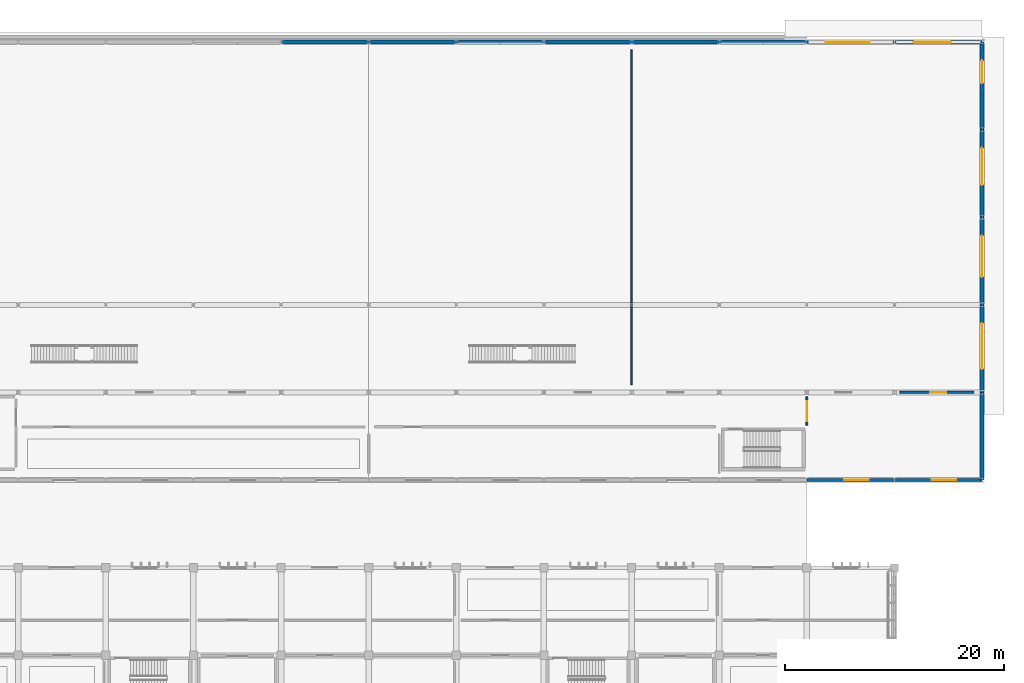
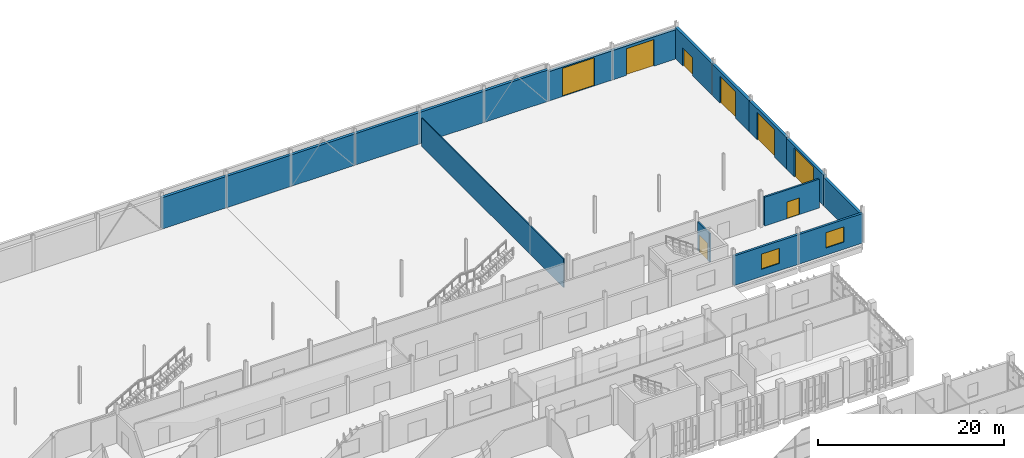
# One storey, part 98 of 117: 18 walls, 8 doors, 2 windows, 10 openings.
"""IFC4 building model written with IfcOpenShell, lengths in metres."""

from ifc_helpers import new_model, si_unit, direction, frame, frame_2d, origin, place, context, subcontext, project, spatial, rectangle, extrude, material, layer, layer_set, type_object, element, fill, save


model = new_model("IFC4")

# Units and contexts
model_context = context("Model", 3, precision=1e-05, world=origin(), true_north=direction((0.0, 1.0)))
body_context = subcontext(model_context, "Body", "Model", "MODEL_VIEW")
ifc_project = project(units=[si_unit("LENGTHUNIT", "METRE"), si_unit("AREAUNIT", "SQUARE_METRE"), si_unit("VOLUMEUNIT", "CUBIC_METRE"), si_unit("PLANEANGLEUNIT", "RADIAN"), si_unit("MASSUNIT", "GRAM", prefix="KILO")], contexts=[model_context])

# Site, building, storey
site_placement = place(None, origin())
site = spatial("IfcSite", under=ifc_project, at=site_placement, CompositionType="ELEMENT")
building_placement = place(site_placement, origin())
building = spatial("IfcBuilding", under=site, at=building_placement, Name="Jelvoka-Kovrelna Polytechnic", CompositionType="ELEMENT")
storey_placement = place(building_placement, origin())
storey = spatial("IfcBuildingStorey", under=building, at=storey_placement, Name="L01", CompositionType="ELEMENT", Elevation=0.0)

# Wall, opening, door
ifc_material_1 = material(Name="Concrete C35/45", Category="concrete")
ifc_layer_1 = layer(ifc_material_1, 0.219970703125)
ifc_layer_set_1 = layer_set([ifc_layer_1], Name="Concrete C35/45")
wall_type_1 = type_object("IfcWallType", Name="Wall_Compartment_220", PredefinedType="PARTITIONING", material=ifc_layer_set_1)
wall_1_placement = place(storey_placement, frame((192.449951171875, 88.0, 0.0), z_axis=(0.0, 0.0, 1.0), x_axis=(1.0, 0.0, 0.0)))
wall_1 = element("IfcWall", 1, at=wall_1_placement, inside=storey, type_object=wall_type_1, Name="L01 interior wall 0913", PredefinedType="PARTITIONING", context=body_context, shape_type="SweptSolid", body=[
    extrude(rectangle(XDim=6.800048828125, YDim=0.219970703125, at=frame_2d((3.39990234375, 0.0))), origin(), (0.0, 0.0, 1.0), 3.794921875),
])
opening_1_placement = place(wall_1_placement, frame((2.800048828125, 0.0, 0.0)))
opening_1 = element("IfcOpeningElement", 2, at=opening_1_placement, cuts=wall_1, Name="Opening D-L01-200", PredefinedType="OPENING", context=body_context, shape_type="SweptSolid", body=[
    extrude(rectangle(XDim=1.5, YDim=2.199951171875, at=frame_2d((0.75, 1.10009765625))), frame((0.0, 0.119873046875, 0.0), z_axis=(0.0, -1.0, 0.0), x_axis=(1.0, 0.0, 0.0)), (0.0, 0.0, 1.0), 0.239990234375),
])
ifc_material_2 = material(Name="Paired steel stair lobby fire door", Category="steel")
door_type_1 = type_object("IfcDoorType", Name="Door_Fire_FD04", OperationType="NOTDEFINED", PredefinedType="DOOR", material=ifc_material_2)
door_1_placement = place(opening_1_placement, origin())
door_1 = element("IfcDoor", 3, at=door_1_placement, inside=storey, type_object=door_type_1, Name="L01 interior door D-L01-200", OperationType="DOUBLE_DOOR_SINGLE_SWING", OverallHeight=2.199951171875, OverallWidth=1.5, PredefinedType="DOOR", context=body_context, shape_type="SweptSolid", body=[
    extrude(rectangle(XDim=1.5, YDim=2.199951171875, at=frame_2d((0.75, 1.10009765625))), frame((0.0, 0.02490234375, 0.0), z_axis=(0.0, -1.0, 0.0), x_axis=(1.0, 0.0, 0.0)), (0.0, 0.0, 1.0), 0.050048828125),
])
fill(opening_1, door_1)

ifc_material_3 = material(Name="Autoclaved aerated concrete blockwork", Category="masonry")
ifc_layer_2 = layer(ifc_material_3, 0.179931640625)
ifc_layer_set_2 = layer_set([ifc_layer_2], Name="Autoclaved aerated concrete blockwork")
wall_type_2 = type_object("IfcWallType", Name="Wall_Corridor_180", PredefinedType="PARTITIONING", material=ifc_layer_set_2)
wall_2_placement = place(storey_placement, frame((184.0, 85.0, 0.0), z_axis=(0.0, 0.0, 1.0), x_axis=(0.0, 1.0, 0.0)))
wall_2 = element("IfcWall", 4, at=wall_2_placement, inside=storey, type_object=wall_type_2, Name="L01 interior wall 0919", PredefinedType="PARTITIONING", context=body_context, shape_type="SweptSolid", body=[
    extrude(rectangle(XDim=2.60009765625, YDim=0.179931640625, at=frame_2d((1.300048828125, 0.0))), origin(), (0.0, 0.0, 1.0), 3.7451171875),
])
opening_2_placement = place(wall_2_placement, frame((0.389892578125, 0.0, 0.0)))
opening_2 = element("IfcOpeningElement", 5, at=opening_2_placement, cuts=wall_2, Name="Opening D-L01-203", PredefinedType="OPENING", context=body_context, shape_type="SweptSolid", body=[
    extrude(rectangle(XDim=1.820068359375, YDim=2.25, at=frame_2d((0.91015625, 1.125))), frame((0.0, 0.099853515625, 0.0), z_axis=(0.0, -1.0, 0.0), x_axis=(1.0, 0.0, 0.0)), (0.0, 0.0, 1.0), 0.199951171875),
])
ifc_material_4 = material(Name="Paired hardwood fire-resisting assembly door", Category="wood")
door_type_2 = type_object("IfcDoorType", Name="Door_Fire_FD30_10", OperationType="NOTDEFINED", PredefinedType="DOOR", material=ifc_material_4)
door_2_placement = place(opening_2_placement, origin())
door_2 = element("IfcDoor", 6, at=door_2_placement, inside=storey, type_object=door_type_2, Name="L01 interior door D-L01-203", OperationType="DOUBLE_DOOR_SINGLE_SWING", OverallHeight=2.25, OverallWidth=1.820068359375, PredefinedType="DOOR", context=body_context, shape_type="SweptSolid", body=[
    extrude(rectangle(XDim=1.820068359375, YDim=2.25, at=frame_2d((0.91015625, 1.125))), frame((0.0, 0.02490234375, 0.0), z_axis=(0.0, -1.0, 0.0), x_axis=(1.0, 0.0, 0.0)), (0.0, 0.0, 1.0), 0.050048828125),
])
fill(opening_2, door_2)

# Wall, opening, window
ifc_material_5 = material(Name="Precast concrete C40/50", Category="concrete")
ifc_layer_3 = layer(ifc_material_5, 0.280029296875)
ifc_layer_set_3 = layer_set([ifc_layer_3], Name="Precast concrete C40/50")
wall_type_3 = type_object("IfcWallType", Name="Wall_Ext_White_280", PredefinedType="STANDARD", material=ifc_layer_set_3)
wall_3_placement = place(storey_placement, frame((191.99609375, 80.0, 0.0), z_axis=(0.0, 0.0, 1.0), x_axis=(-1.0, 0.0, 0.0)))
wall_3 = element("IfcWall", 7, at=wall_3_placement, inside=storey, type_object=wall_type_3, Name="L01 exterior wall 0898", PredefinedType="STANDARD", context=body_context, shape_type="SweptSolid", body=[
    extrude(rectangle(XDim=7.9921875, YDim=0.280029296875, at=frame_2d((3.99609375, 0.0))), origin(), (0.0, 0.0, 1.0), 3.89501953125),
])
opening_3_placement = place(wall_3_placement, frame((2.3359375, 0.0, 0.949951171875)))
opening_3 = element("IfcOpeningElement", 8, at=opening_3_placement, cuts=wall_3, Name="Opening W-L01-513", PredefinedType="OPENING", context=body_context, shape_type="SweptSolid", body=[
    extrude(rectangle(XDim=2.25, YDim=2.0, at=frame_2d((1.125, 1.0))), frame((0.0, 0.150146484375, 0.0), z_axis=(0.0, -1.0, 0.0), x_axis=(1.0, 0.0, 0.0)), (0.0, 0.0, 1.0), 0.300048828125),
])
ifc_material_6 = material(Name="Thermally broken anodised aluminium and low-e glazing", Category="aluminium")
window_type = type_object("IfcWindowType", Name="Win_Casement_W57", PartitioningType="DOUBLE_PANEL_VERTICAL", PredefinedType="WINDOW", material=ifc_material_6)
window_1_placement = place(opening_3_placement, origin())
window_1 = element("IfcWindow", 9, at=window_1_placement, inside=storey, type_object=window_type, Name="L01 aluminium casement window W-L01-513", OverallHeight=2.0, OverallWidth=2.25, PartitioningType="DOUBLE_PANEL_VERTICAL", PredefinedType="WINDOW", context=body_context, shape_type="SweptSolid", body=[
    extrude(rectangle(XDim=2.25, YDim=2.0, at=frame_2d((1.125, 1.0))), frame((0.0, 0.030029296875, 0.0), z_axis=(0.0, -1.0, 0.0), x_axis=(1.0, 0.0, 0.0)), (0.0, 0.0, 1.0), 0.06005859375),
])
fill(opening_3, window_1)

wall_4_placement = place(storey_placement, frame((199.99609375, 80.0, 0.0), z_axis=(0.0, 0.0, 1.0), x_axis=(-1.0, 0.0, 0.0)))
wall_4 = element("IfcWall", 10, at=wall_4_placement, inside=storey, type_object=wall_type_3, Name="L01 exterior wall 0899", PredefinedType="STANDARD", context=body_context, shape_type="SweptSolid", body=[
    extrude(rectangle(XDim=7.9921875, YDim=0.280029296875, at=frame_2d((3.99609375, 0.0))), origin(), (0.0, 0.0, 1.0), 3.89501953125),
])
opening_4_placement = place(wall_4_placement, frame((2.3359375, 0.0, 0.949951171875)))
opening_4 = element("IfcOpeningElement", 11, at=opening_4_placement, cuts=wall_4, Name="Opening W-L01-514", PredefinedType="OPENING", context=body_context, shape_type="SweptSolid", body=[
    extrude(rectangle(XDim=2.25, YDim=2.0, at=frame_2d((1.125, 1.0))), frame((0.0, 0.150146484375, 0.0), z_axis=(0.0, -1.0, 0.0), x_axis=(1.0, 0.0, 0.0)), (0.0, 0.0, 1.0), 0.300048828125),
])
window_2_placement = place(opening_4_placement, origin())
window_2 = element("IfcWindow", 12, at=window_2_placement, inside=storey, type_object=window_type, Name="L01 aluminium casement window W-L01-514", OverallHeight=2.0, OverallWidth=2.25, PartitioningType="DOUBLE_PANEL_VERTICAL", PredefinedType="WINDOW", context=body_context, shape_type="SweptSolid", body=[
    extrude(rectangle(XDim=2.25, YDim=2.0, at=frame_2d((1.125, 1.0))), frame((0.0, 0.030029296875, 0.0), z_axis=(0.0, -1.0, 0.0), x_axis=(1.0, 0.0, 0.0)), (0.0, 0.0, 1.0), 0.06005859375),
])
fill(opening_4, window_2)

# Walls
ifc_material_7 = material(Name="Precast concrete C40/50", Category="concrete")
ifc_layer_4 = layer(ifc_material_7, 0.340087890625)
ifc_layer_set_4 = layer_set([ifc_layer_4], Name="Precast concrete C40/50")
wall_type_4 = type_object("IfcWallType", Name="Wall_Ext_Workshop_340", PredefinedType="STANDARD", material=ifc_layer_set_4)
for number, where, z_axis, x_axis, name in (
    (13, (136.00390625, 120.0, 0.0), (0.0, 0.0, 1.0), (1.0, 0.0, 0.0), "L01 exterior wall 0869"),
    (14, (144.00390625, 120.0, 0.0), (0.0, 0.0, 1.0), (1.0, 0.0, 0.0), "L01 exterior wall 0870"),
    (15, (152.00390625, 120.0, 0.0), (0.0, 0.0, 1.0), (1.0, 0.0, 0.0), "L01 exterior wall 0871"),
    (16, (160.00390625, 120.0, 0.0), (0.0, 0.0, 1.0), (1.0, 0.0, 0.0), "L01 exterior wall 0872"),
    (17, (168.00390625, 120.0, 0.0), (0.0, 0.0, 1.0), (1.0, 0.0, 0.0), "L01 exterior wall 0873"),
    (18, (176.00390625, 120.0, 0.0), (0.0, 0.0, 1.0), (1.0, 0.0, 0.0), "L01 exterior wall 0874"),
):
    element("IfcWall", number, at=place(storey_placement, frame(where, z_axis=z_axis, x_axis=x_axis)), inside=storey, type_object=wall_type_4, Name=name, PredefinedType="STANDARD", context=body_context, shape_type="SweptSolid", body=[
        extrude(rectangle(XDim=7.9921875, YDim=0.340087890625, at=frame_2d((3.99609375, 0.0))), origin(), (0.0, 0.0, 1.0), 4.1201171875),
    ])

# Wall, opening, door
wall_5_placement = place(storey_placement, frame((184.00390625, 120.0, 0.0), z_axis=(0.0, 0.0, 1.0), x_axis=(1.0, 0.0, 0.0)))
wall_5 = element("IfcWall", 19, at=wall_5_placement, inside=storey, type_object=wall_type_4, Name="L01 exterior wall 0875", PredefinedType="STANDARD", context=body_context, shape_type="SweptSolid", body=[
    extrude(rectangle(XDim=7.9921875, YDim=0.340087890625, at=frame_2d((3.99609375, 0.0))), origin(), (0.0, 0.0, 1.0), 3.85009765625),
])
opening_5_placement = place(wall_5_placement, frame((1.736083984375, 0.0, 0.0)))
opening_5 = element("IfcOpeningElement", 20, at=opening_5_placement, cuts=wall_5, Name="Opening GT-L01-021", PredefinedType="OPENING", context=body_context, shape_type="SweptSolid", body=[
    extrude(rectangle(XDim=4.0, YDim=3.699951171875, at=frame_2d((2.0, 1.85009765625))), frame((0.0, 0.179931640625, 0.0), z_axis=(0.0, -1.0, 0.0), x_axis=(1.0, 0.0, 0.0)), (0.0, 0.0, 1.0), 0.360107421875),
])
ifc_material_8 = material(Name="Powder-coated aluminium and laminated safety glass", Category="aluminium")
door_type_3 = type_object("IfcDoorType", Name="Gate_Workshop_4000x3700", OperationType="NOTDEFINED", PredefinedType="GATE", material=ifc_material_8)
door_3_placement = place(opening_5_placement, origin())
door_3 = element("IfcDoor", 21, at=door_3_placement, inside=storey, type_object=door_type_3, Name="L01 exterior door GT-L01-021", OperationType="ROLLINGUP", OverallHeight=3.699951171875, OverallWidth=4.0, PredefinedType="GATE", context=body_context, shape_type="SweptSolid", body=[
    extrude(rectangle(XDim=4.0, YDim=3.699951171875, at=frame_2d((2.0, 1.85009765625))), frame((0.0, 0.02490234375, 0.0), z_axis=(0.0, -1.0, 0.0), x_axis=(1.0, 0.0, 0.0)), (0.0, 0.0, 1.0), 0.050048828125),
])
fill(opening_5, door_3)

wall_6_placement = place(storey_placement, frame((192.00390625, 120.0, 0.0), z_axis=(0.0, 0.0, 1.0), x_axis=(1.0, 0.0, 0.0)))
wall_6 = element("IfcWall", 22, at=wall_6_placement, inside=storey, type_object=wall_type_4, Name="L01 exterior wall 0876", PredefinedType="STANDARD", context=body_context, shape_type="SweptSolid", body=[
    extrude(rectangle(XDim=7.9921875, YDim=0.340087890625, at=frame_2d((3.99609375, 0.0))), origin(), (0.0, 0.0, 1.0), 3.85009765625),
])
opening_6_placement = place(wall_6_placement, frame((1.736083984375, 0.0, 0.0)))
opening_6 = element("IfcOpeningElement", 23, at=opening_6_placement, cuts=wall_6, Name="Opening GT-L01-022", PredefinedType="OPENING", context=body_context, shape_type="SweptSolid", body=[
    extrude(rectangle(XDim=3.39990234375, YDim=3.5, at=frame_2d((1.699951171875, 1.75))), frame((0.0, 0.179931640625, 0.0), z_axis=(0.0, -1.0, 0.0), x_axis=(1.0, 0.0, 0.0)), (0.0, 0.0, 1.0), 0.360107421875),
])
ifc_material_9 = material(Name="Powder-coated aluminium and laminated safety glass", Category="aluminium")
door_type_4 = type_object("IfcDoorType", Name="Gate_Workshop_3400x3500", OperationType="NOTDEFINED", PredefinedType="GATE", material=ifc_material_9)
door_4_placement = place(opening_6_placement, origin())
door_4 = element("IfcDoor", 24, at=door_4_placement, inside=storey, type_object=door_type_4, Name="L01 exterior door GT-L01-022", OperationType="ROLLINGUP", OverallHeight=3.5, OverallWidth=3.39990234375, PredefinedType="GATE", context=body_context, shape_type="SweptSolid", body=[
    extrude(rectangle(XDim=3.39990234375, YDim=3.5, at=frame_2d((1.699951171875, 1.75))), frame((0.0, 0.02490234375, 0.0), z_axis=(0.0, -1.0, 0.0), x_axis=(1.0, 0.0, 0.0)), (0.0, 0.0, 1.0), 0.050048828125),
])
fill(opening_6, door_4)

# Wall
wall_7_placement = place(storey_placement, frame((200.0, 87.99609375, 0.0), z_axis=(0.0, 0.0, 1.0), x_axis=(0.0, -1.0, 0.0)))
element("IfcWall", 25, at=wall_7_placement, inside=storey, type_object=wall_type_4, Name="L01 exterior wall 0877", PredefinedType="STANDARD", context=body_context, shape_type="SweptSolid", body=[
    extrude(rectangle(XDim=7.9921875, YDim=0.340087890625, at=frame_2d((3.99609375, 0.0))), origin(), (0.0, 0.0, 1.0), 3.7451171875),
])

# Wall, opening, door
wall_8_placement = place(storey_placement, frame((200.0, 95.99609375, 0.0), z_axis=(0.0, 0.0, 1.0), x_axis=(0.0, -1.0, 0.0)))
wall_8 = element("IfcWall", 26, at=wall_8_placement, inside=storey, type_object=wall_type_4, Name="L01 exterior wall 0878", PredefinedType="STANDARD", context=body_context, shape_type="SweptSolid", body=[
    extrude(rectangle(XDim=7.9921875, YDim=0.340087890625, at=frame_2d((3.99609375, 0.0))), origin(), (0.0, 0.0, 1.0), 4.03662109375),
])
opening_7_placement = place(wall_8_placement, frame((1.676025390625, 0.0, 0.0)))
opening_7 = element("IfcOpeningElement", 27, at=opening_7_placement, cuts=wall_8, Name="Opening GT-L01-023", PredefinedType="OPENING", context=body_context, shape_type="SweptSolid", body=[
    extrude(rectangle(XDim=4.199951171875, YDim=3.800048828125, at=frame_2d((2.10009765625, 1.89990234375))), frame((0.0, 0.179931640625, 0.0), z_axis=(0.0, -1.0, 0.0), x_axis=(1.0, 0.0, 0.0)), (0.0, 0.0, 1.0), 0.360107421875),
])
ifc_material_10 = material(Name="Powder-coated aluminium and laminated safety glass", Category="aluminium")
door_type_5 = type_object("IfcDoorType", Name="Gate_Workshop_4200x3800", OperationType="NOTDEFINED", PredefinedType="GATE", material=ifc_material_10)
door_5_placement = place(opening_7_placement, origin())
door_5 = element("IfcDoor", 28, at=door_5_placement, inside=storey, type_object=door_type_5, Name="L01 exterior door GT-L01-023", OperationType="ROLLINGUP", OverallHeight=3.800048828125, OverallWidth=4.199951171875, PredefinedType="GATE", context=body_context, shape_type="SweptSolid", body=[
    extrude(rectangle(XDim=4.199951171875, YDim=3.800048828125, at=frame_2d((2.10009765625, 1.89990234375))), frame((0.0, 0.02490234375, 0.0), z_axis=(0.0, -1.0, 0.0), x_axis=(1.0, 0.0, 0.0)), (0.0, 0.0, 1.0), 0.050048828125),
])
fill(opening_7, door_5)

wall_9_placement = place(storey_placement, frame((200.0, 103.99609375, 0.0), z_axis=(0.0, 0.0, 1.0), x_axis=(0.0, -1.0, 0.0)))
wall_9 = element("IfcWall", 29, at=wall_9_placement, inside=storey, type_object=wall_type_4, Name="L01 exterior wall 0879", PredefinedType="STANDARD", context=body_context, shape_type="SweptSolid", body=[
    extrude(rectangle(XDim=7.9921875, YDim=0.340087890625, at=frame_2d((3.99609375, 0.0))), origin(), (0.0, 0.0, 1.0), 4.1201171875),
])
opening_8_placement = place(wall_9_placement, frame((1.676025390625, 0.0, 0.0)))
opening_8 = element("IfcOpeningElement", 30, at=opening_8_placement, cuts=wall_9, Name="Opening GT-L01-024", PredefinedType="OPENING", context=body_context, shape_type="SweptSolid", body=[
    extrude(rectangle(XDim=3.800048828125, YDim=3.60009765625, at=frame_2d((1.89990234375, 1.800048828125))), frame((0.0, 0.179931640625, 0.0), z_axis=(0.0, -1.0, 0.0), x_axis=(1.0, 0.0, 0.0)), (0.0, 0.0, 1.0), 0.360107421875),
])
ifc_material_11 = material(Name="Powder-coated aluminium and laminated safety glass", Category="aluminium")
door_type_6 = type_object("IfcDoorType", Name="Gate_Workshop_3800x3600", OperationType="NOTDEFINED", PredefinedType="GATE", material=ifc_material_11)
door_6_placement = place(opening_8_placement, origin())
door_6 = element("IfcDoor", 31, at=door_6_placement, inside=storey, type_object=door_type_6, Name="L01 exterior door GT-L01-024", OperationType="ROLLINGUP", OverallHeight=3.60009765625, OverallWidth=3.800048828125, PredefinedType="GATE", context=body_context, shape_type="SweptSolid", body=[
    extrude(rectangle(XDim=3.800048828125, YDim=3.60009765625, at=frame_2d((1.89990234375, 1.800048828125))), frame((0.0, 0.02490234375, 0.0), z_axis=(0.0, -1.0, 0.0), x_axis=(1.0, 0.0, 0.0)), (0.0, 0.0, 1.0), 0.050048828125),
])
fill(opening_8, door_6)

wall_10_placement = place(storey_placement, frame((200.0, 111.99609375, 0.0), z_axis=(0.0, 0.0, 1.0), x_axis=(0.0, -1.0, 0.0)))
wall_10 = element("IfcWall", 32, at=wall_10_placement, inside=storey, type_object=wall_type_4, Name="L01 exterior wall 0880", PredefinedType="STANDARD", context=body_context, shape_type="SweptSolid", body=[
    extrude(rectangle(XDim=7.9921875, YDim=0.340087890625, at=frame_2d((3.99609375, 0.0))), origin(), (0.0, 0.0, 1.0), 4.1201171875),
])
opening_9_placement = place(wall_10_placement, frame((1.676025390625, 0.0, 0.0)))
opening_9 = element("IfcOpeningElement", 33, at=opening_9_placement, cuts=wall_10, Name="Opening GT-L01-025", PredefinedType="OPENING", context=body_context, shape_type="SweptSolid", body=[
    extrude(rectangle(XDim=3.39990234375, YDim=3.5, at=frame_2d((1.699951171875, 1.75))), frame((0.0, 0.179931640625, 0.0), z_axis=(0.0, -1.0, 0.0), x_axis=(1.0, 0.0, 0.0)), (0.0, 0.0, 1.0), 0.360107421875),
])
door_7_placement = place(opening_9_placement, origin())
door_7 = element("IfcDoor", 34, at=door_7_placement, inside=storey, type_object=door_type_4, Name="L01 exterior door GT-L01-025", OperationType="ROLLINGUP", OverallHeight=3.5, OverallWidth=3.39990234375, PredefinedType="GATE", context=body_context, shape_type="SweptSolid", body=[
    extrude(rectangle(XDim=3.39990234375, YDim=3.5, at=frame_2d((1.699951171875, 1.75))), frame((0.0, 0.02490234375, 0.0), z_axis=(0.0, -1.0, 0.0), x_axis=(1.0, 0.0, 0.0)), (0.0, 0.0, 1.0), 0.050048828125),
])
fill(opening_9, door_7)

wall_11_placement = place(storey_placement, frame((200.0, 119.99609375, 0.0), z_axis=(0.0, 0.0, 1.0), x_axis=(0.0, -1.0, 0.0)))
wall_11 = element("IfcWall", 35, at=wall_11_placement, inside=storey, type_object=wall_type_4, Name="L01 exterior wall 0881", PredefinedType="STANDARD", context=body_context, shape_type="SweptSolid", body=[
    extrude(rectangle(XDim=7.9921875, YDim=0.340087890625, at=frame_2d((3.99609375, 0.0))), origin(), (0.0, 0.0, 1.0), 4.1201171875),
])
opening_10_placement = place(wall_11_placement, frame((1.676025390625, 0.0, 0.0)))
opening_10 = element("IfcOpeningElement", 36, at=opening_10_placement, cuts=wall_11, Name="Opening E-L01-026", PredefinedType="OPENING", context=body_context, shape_type="SweptSolid", body=[
    extrude(rectangle(XDim=2.10009765625, YDim=2.39990234375, at=frame_2d((1.050048828125, 1.199951171875))), frame((0.0, 0.179931640625, 0.0), z_axis=(0.0, -1.0, 0.0), x_axis=(1.0, 0.0, 0.0)), (0.0, 0.0, 1.0), 0.360107421875),
])
ifc_material_12 = material(Name="Powder-coated aluminium and laminated safety glass", Category="aluminium")
door_type_7 = type_object("IfcDoorType", Name="Door_Ext_Exit_2100x2400", OperationType="NOTDEFINED", PredefinedType="DOOR", material=ifc_material_12)
door_8_placement = place(opening_10_placement, origin())
door_8 = element("IfcDoor", 37, at=door_8_placement, inside=storey, type_object=door_type_7, Name="L01 exterior door E-L01-026", OperationType="DOUBLE_DOOR_SINGLE_SWING", OverallHeight=2.39990234375, OverallWidth=2.10009765625, PredefinedType="DOOR", context=body_context, shape_type="SweptSolid", body=[
    extrude(rectangle(XDim=2.10009765625, YDim=2.39990234375, at=frame_2d((1.050048828125, 1.199951171875))), frame((0.0, 0.02490234375, 0.0), z_axis=(0.0, -1.0, 0.0), x_axis=(1.0, 0.0, 0.0)), (0.0, 0.0, 1.0), 0.050048828125),
])
fill(opening_10, door_8)

# Wall
ifc_material_13 = material(Name="Acoustic gypsum stud partition")
ifc_layer_5 = layer(ifc_material_13, 0.125)
ifc_layer_set_5 = layer_set([ifc_layer_5], Name="Acoustic gypsum stud partition")
wall_type_5 = type_object("IfcWallType", Name="Wall_Partition_125", PredefinedType="PARTITIONING", material=ifc_layer_set_5)
wall_12_placement = place(storey_placement, frame((168.0, 88.719970703125, 0.0), z_axis=(0.0, 0.0, 1.0), x_axis=(0.0, 1.0, 0.0)))
element("IfcWall", 38, at=wall_12_placement, inside=storey, type_object=wall_type_5, Name="L01 interior wall 0911", PredefinedType="PARTITIONING", context=body_context, shape_type="SweptSolid", body=[
    extrude(rectangle(XDim=30.56005859375, YDim=0.125, at=frame_2d((15.280029296875, 0.0))), origin(), (0.0, 0.0, 1.0), 3.7451171875),
])

save(model, "model.ifc")
